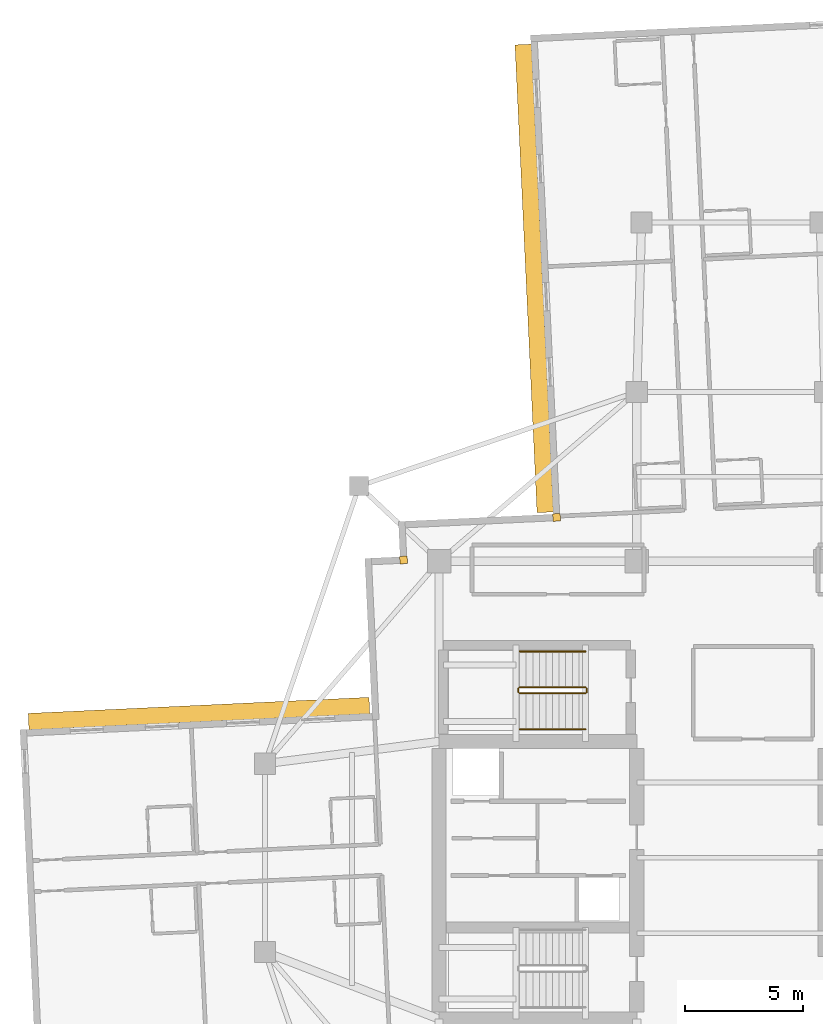
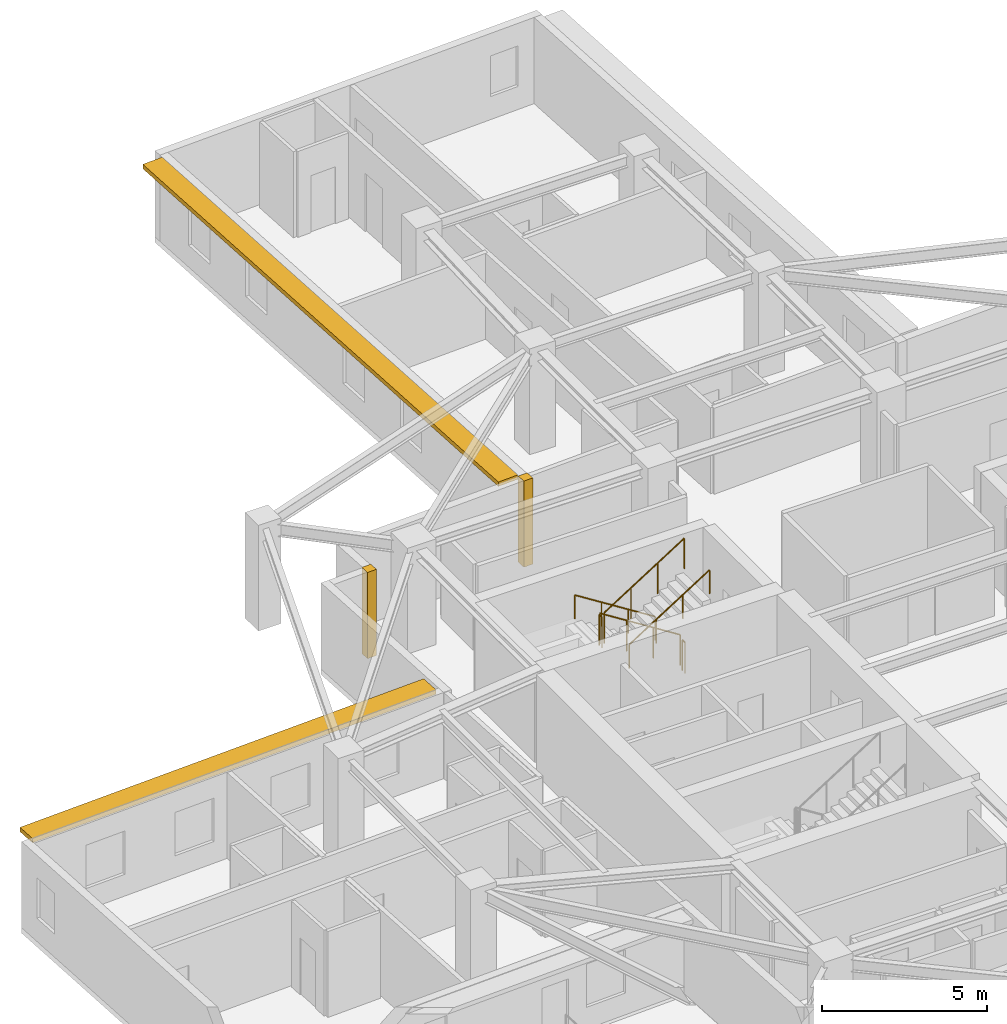
# One storey, part 11 of 12: 6 railings, 2 coverings, 2 shading devices.
"""IFC4 building model written with IfcOpenShell, lengths in metres."""

import ifcopenshell
import ifcopenshell.guid

model = None  # the IFC model being written
_history = None  # IfcOwnerHistory: only IFC2X3 demands one
_inside = {}  # id of a spatial element -> (the spatial element, [elements in it])
_under = {}  # id of a project, library or spatial element -> (it, [spatial elements below it])
_declared = {}  # id of a project -> (the project, [libraries it declares])
_typed = {}  # id of a type object -> (the type object, [elements of that type])
_made_of = {}  # id of a material, layer set ... -> (it, [elements and type objects made of it])


def new_model(schema):
    """Start an empty IFC model of exactly this schema.

    Asked for "IFC4X3", IfcOpenShell would pick the latest addendum, in which some entities
    have other attributes; the version numbers below select the first issue.
    IFC2X3 requires an IfcOwnerHistory on every rooted entity: one is made here for all.
    """
    global model, _history
    if schema == "IFC4X3":
        model = ifcopenshell.file(schema_version=(4, 3, 0, 0))
    else:
        model = ifcopenshell.file(schema=schema)
    _inside.clear()
    _under.clear()
    _declared.clear()
    _typed.clear()
    _made_of.clear()
    _history = None
    if model.schema == "IFC2X3":
        org = make("IfcOrganization", Name="unknown")
        user = make(
            "IfcPersonAndOrganization",
            ThePerson=make("IfcPerson", FamilyName="unknown"),
            TheOrganization=org,
        )
        app = make(
            "IfcApplication",
            ApplicationDeveloper=org,
            Version="unknown",
            ApplicationFullName="unknown",
            ApplicationIdentifier="unknown",
        )
        _history = make(
            "IfcOwnerHistory",
            OwningUser=user,
            OwningApplication=app,
            ChangeAction="ADDED",
            CreationDate=0,
        )
    return model


def make(cls, **values):
    """One entity of the class cls with the attributes given. An attribute that is None is left unset."""
    return model.create_entity(
        cls, **{name: value for name, value in values.items() if value is not None}
    )


def rooted(cls, **values):
    """An entity with a GlobalId (a new one), such as an element, a storey or a relation."""
    return make(cls, GlobalId=ifcopenshell.guid.new(), OwnerHistory=_history, **values)


def si_unit(unit_type, name, prefix=None):
    """IfcSIUnit, for example si_unit("LENGTHUNIT", "METRE", prefix="MILLI")."""
    return make("IfcSIUnit", UnitType=unit_type, Prefix=prefix, Name=name)


def assignment(units):
    """IfcUnitAssignment: the units of a project."""
    return None if units is None else make("IfcUnitAssignment", Units=units)


def point(xyz):
    """IfcCartesianPoint."""
    return None if xyz is None else make("IfcCartesianPoint", Coordinates=xyz)


def direction(xyz):
    """IfcDirection."""
    return None if xyz is None else make("IfcDirection", DirectionRatios=xyz)


def frame(location, z_axis=None, x_axis=None):
    """IfcAxis2Placement3D, a coordinate frame: its origin and axes. An axis left out is left unset."""
    return make(
        "IfcAxis2Placement3D",
        Location=point(location),
        Axis=direction(z_axis),
        RefDirection=direction(x_axis),
    )


def frame_2d(location, x_axis=None):
    """IfcAxis2Placement2D, a coordinate frame in the plane: its origin and x axis."""
    return make(
        "IfcAxis2Placement2D", Location=point(location), RefDirection=direction(x_axis)
    )


def origin():
    """The frame at (0, 0, 0) with its axes left unset."""
    return frame((0.0, 0.0, 0.0))


def origin_2d():
    """The frame at (0, 0) in the plane with its x axis left unset."""
    return frame_2d((0.0, 0.0))


def place(relative_to, where):
    """IfcLocalPlacement: puts the frame where relative to a parent placement (None: the world)."""
    return make(
        "IfcLocalPlacement", PlacementRelTo=relative_to, RelativePlacement=where
    )


def context(
    kind, dimensions, precision=None, world=None, true_north=None, identifier=None
):
    """IfcGeometricRepresentationContext, for example the 3D "Model" context."""
    return make(
        "IfcGeometricRepresentationContext",
        ContextIdentifier=identifier,
        ContextType=kind,
        CoordinateSpaceDimension=dimensions,
        Precision=precision,
        WorldCoordinateSystem=world,
        TrueNorth=true_north,
    )


def subcontext(parent, identifier, kind, view, scale=None):
    """IfcGeometricRepresentationSubContext, for example "Body" below "Model"."""
    return make(
        "IfcGeometricRepresentationSubContext",
        ContextIdentifier=identifier,
        ContextType=kind,
        ParentContext=parent,
        TargetScale=scale,
        TargetView=view,
    )


def project(units=None, contexts=None):
    """IfcProject with its units and contexts."""
    return rooted(
        "IfcProject",
        Name="project",
        RepresentationContexts=contexts,
        UnitsInContext=assignment(units),
    )


def spatial(cls, under=None, at=None, **own):
    """A site, building, storey or space (cls), placed at a placement, below another one or the project."""
    s = rooted(cls, ObjectPlacement=at, **own)
    if under is not None:
        _under.setdefault(under.id(), (under, []))[1].append(s)
    return s


def profile(cls, at=None, kind="AREA", **sizes):
    """A parametric profile (cls). Its sizes go by their IFC names, for example OverallWidth=200.0."""
    return make(cls, ProfileType=kind, Position=at, **sizes)


def rectangle(**sizes):
    """IfcRectangleProfileDef."""
    return profile("IfcRectangleProfileDef", **sizes)


def circle(**sizes):
    """IfcCircleProfileDef."""
    return profile("IfcCircleProfileDef", **sizes)


def extrude(swept, where, along, depth):
    """IfcExtrudedAreaSolid: the profile swept, set in the frame where, extruded along a direction by depth."""
    return make(
        "IfcExtrudedAreaSolid",
        SweptArea=swept,
        Position=where,
        ExtrudedDirection=direction(along),
        Depth=depth,
    )


def shape(context_of_items, identifier, shape_type, items):
    """IfcShapeRepresentation: the items that make up one representation, for example the "Body"."""
    return make(
        "IfcShapeRepresentation",
        ContextOfItems=context_of_items,
        RepresentationIdentifier=identifier,
        RepresentationType=shape_type,
        Items=items,
    )


def material(Name=None, Category=None):
    """IfcMaterial."""
    return make("IfcMaterial", Name=Name, Category=Category)


def layer(
    of_material, thickness, ventilated=None, Name=None, Category=None, Priority=None
):
    """IfcMaterialLayer: one layer of a wall or slab, of a material (None: an air gap)."""
    return make(
        "IfcMaterialLayer",
        Material=of_material,
        LayerThickness=thickness,
        IsVentilated=ventilated,
        Name=Name,
        Category=Category,
        Priority=Priority,
    )


def layer_set(layers, Name=None):
    """IfcMaterialLayerSet."""
    return make("IfcMaterialLayerSet", MaterialLayers=layers, LayerSetName=Name)


def made_of(thing, what):
    """Note that an element or type object is made of a material, layer set ...; save() writes the relation."""
    if what is not None:
        _made_of.setdefault(what.id(), (what, []))[1].append(thing)
    return thing


def type_object(cls, material=None, **own):
    """A type object (cls), such as IfcWallType, which elements share."""
    return made_of(rooted(cls, **own), material)


def element(
    cls,
    number,
    at=None,
    inside=None,
    cuts=None,
    type_object=None,
    material=None,
    context=None,
    identifier="Body",
    shape_type=None,
    held_by="IfcProductDefinitionShape",
    body=None,
    shapes=None,
    **own,
):
    """One element of the class cls, such as IfcWall. Its Tag is "e" and its number.

    at: its placement. inside: the storey or other place that contains it. cuts: it is an
    opening in that element (IfcRelVoidsElement). A single representation is given by context,
    identifier, shape_type and body (its items); several are given by shapes. held_by: the class
    of the entity that holds the representations. save() writes the other relations.
    """
    e = rooted(cls, Tag="e%d" % number, ObjectPlacement=at, **own)
    if body is not None:
        shapes = [shape(context, identifier, shape_type, body)]
    if shapes is not None:
        e.Representation = make(held_by, Representations=shapes)
    if inside is not None:
        _inside.setdefault(inside.id(), (inside, []))[1].append(e)
    if cuts is not None:
        rooted(
            "IfcRelVoidsElement", RelatingBuildingElement=cuts, RelatedOpeningElement=e
        )
    if type_object is not None:
        _typed.setdefault(type_object.id(), (type_object, []))[1].append(e)
    return made_of(e, material)


def aggregate(whole, parts):
    """IfcRelAggregates: a whole, such as a stair, and the parts it consists of."""
    return rooted("IfcRelAggregates", RelatingObject=whole, RelatedObjects=parts)


def save(model, path):
    """Write the relations noted so far, then the file.

    IfcRelAggregates (storeys below a building ...), IfcRelContainedInSpatialStructure (elements
    in a storey), IfcRelDefinesByType, IfcRelAssociatesMaterial and IfcRelDeclares: one each for
    every whole, place, type object, material and project.
    """
    for whole, parts in _under.values():
        aggregate(whole, parts)
    for where, things in _inside.values():
        rooted(
            "IfcRelContainedInSpatialStructure",
            RelatedElements=things,
            RelatingStructure=where,
        )
    for kind, things in _typed.values():
        rooted("IfcRelDefinesByType", RelatedObjects=things, RelatingType=kind)
    for what, things in _made_of.values():
        rooted("IfcRelAssociatesMaterial", RelatedObjects=things, RelatingMaterial=what)
    for by, libraries in _declared.values():
        rooted("IfcRelDeclares", RelatingContext=by, RelatedDefinitions=libraries)
    model.write(path)


model = new_model("IFC4")

# Units and contexts
model_context = context("Model", 3, precision=1e-05, world=origin(), true_north=direction((0.0, 1.0)))
body_context = subcontext(model_context, "Body", "Model", "MODEL_VIEW")
ifc_project = project(units=[si_unit("LENGTHUNIT", "METRE"), si_unit("AREAUNIT", "SQUARE_METRE"), si_unit("VOLUMEUNIT", "CUBIC_METRE"), si_unit("PLANEANGLEUNIT", "RADIAN"), si_unit("MASSUNIT", "GRAM", prefix="KILO")], contexts=[model_context])

# Site, building, storey
site_placement = place(None, origin())
site = spatial("IfcSite", under=ifc_project, at=site_placement, CompositionType="ELEMENT")
building_placement = place(site_placement, origin())
building = spatial("IfcBuilding", under=site, at=building_placement, Name="Qingluan Cross Belvedere", CompositionType="ELEMENT")
storey_placement = place(building_placement, frame((0.0, 0.0, 213.0)))
storey = spatial("IfcBuildingStorey", under=building, at=storey_placement, Name="L53", CompositionType="ELEMENT", Elevation=213.0)

# Coverings
ifc_material_1 = material(Name="Precast concrete C45", Category="concrete")
ifc_layer_1 = layer(ifc_material_1, 0.1201171875, Name="ConcreteSpandrelCladding_120")
ifc_layer_set_1 = layer_set([ifc_layer_1], Name="Precast concrete C45")
covering_type = type_object("IfcCoveringType", Name="ConcreteSpandrelCladding_120", PredefinedType="CLADDING", material=ifc_layer_set_1)
for number, where, z_axis, x_axis, name in (
    (1, (-13.911865234375, 12.65869140625, 0.0), (0.0, 0.0, 1.0), (0.998889874962, 0.04710645071, 0.0), "Corner closure L53-NW1"),
    (2, (-7.40966796875, 14.467041015625, 0.0), (0.0, 0.0, 1.0), (0.998889874962, 0.04710645071, 0.0), "Corner closure L53-NW2"),
):
    element("IfcCovering", number, at=place(storey_placement, frame(where, z_axis=z_axis, x_axis=x_axis)), inside=storey, type_object=covering_type, Name=name, PredefinedType="CLADDING", context=body_context, shape_type="SweptSolid", body=[
        extrude(rectangle(XDim=0.320068359375, YDim=0.320068359375, at=origin_2d()), origin(), (0.0, 0.0, 1.0), 3.179931640625),
    ])

# Shading devices
ifc_material_2 = material(Name="Precast concrete C45", Category="concrete")
ifc_layer_2 = layer(ifc_material_2, 0.139892578125, Name="ConcreteSunshadeBand_700")
ifc_layer_set_2 = layer_set([ifc_layer_2], Name="Precast concrete C45")
shading_device_type = type_object("IfcShadingDeviceType", Name="ConcreteSunshadeBand_700", PredefinedType="USERDEFINED", material=ifc_layer_set_2)
shading_device_1_placement = place(storey_placement, frame((-8.359130859375, 24.62353515625, 3.0), z_axis=(0.0, 0.0, 1.0), x_axis=(0.047104684445, -0.998889958255, 0.0)))
element("IfcShadingDevice", 3, at=shading_device_1_placement, inside=storey, type_object=shading_device_type, Name="Concrete SUNSHADE L53-NB", ObjectType="SUNSHADE", PredefinedType="USERDEFINED", context=body_context, shape_type="SweptSolid", body=[
    extrude(rectangle(XDim=19.89990234375, YDim=0.699951171875, at=origin_2d()), origin(), (0.0, 0.0, 1.0), 0.159912109375),
])
shading_device_2_placement = place(storey_placement, frame((-22.60400390625, 6.132080078125, 3.0), z_axis=(0.0, 0.0, 1.0), x_axis=(-0.99888976521, -0.047108777928, 0.0)))
element("IfcShadingDevice", 4, at=shading_device_2_placement, inside=storey, type_object=shading_device_type, Name="Concrete SUNSHADE L53-WA", ObjectType="SUNSHADE", PredefinedType="USERDEFINED", context=body_context, shape_type="SweptSolid", body=[
    extrude(rectangle(XDim=14.5, YDim=0.699951171875, at=origin_2d()), origin(), (0.0, 0.0, 1.0), 0.159912109375),
])

# Railings
ifc_material_3 = material(Name="Brushed stainless steel tubular handrail", Category="steel")
railing_type_1 = type_object("IfcRailingType", Name="StairPitchHandrail_900", PredefinedType="HANDRAIL", material=ifc_material_3)
railing_1_placement = place(storey_placement, frame((-6.179931640625, 8.77001953125, 0.17724609375)))
element("IfcRailing", 5, at=railing_1_placement, inside=storey, type_object=railing_type_1, Name="L53 ST3 stair handrail 1", PredefinedType="HANDRAIL", context=body_context, shape_type="SweptSolid", body=[
    extrude(circle(Radius=0.02392578125, at=origin_2d()), frame((0.0, 0.0, 0.8759765625), z_axis=(-0.844908973607, 0.0, 0.534910110503), x_axis=(0.0, -1.0, 0.0)), (0.0, 0.0, 1.0), 3.31396484375),
    extrude(circle(Radius=0.02099609375, at=origin_2d()), origin(), (0.0, 0.0, 1.0), 0.851806640625),
    extrude(circle(Radius=0.02099609375, at=origin_2d()), frame((-0.933349609375, 0.0, 0.5908203125)), (0.0, 0.0, 1.0), 0.851806640625),
    extrude(circle(Radius=0.02099609375, at=origin_2d()), frame((-1.86669921875, 0.0, 1.181884765625)), (0.0, 0.0, 1.0), 0.851806640625),
    extrude(circle(Radius=0.02099609375, at=origin_2d()), frame((-2.800048828125, 0.0, 1.772705078125)), (0.0, 0.0, 1.0), 0.851806640625),
])
railing_2_placement = place(storey_placement, frame((-8.97998046875, 5.469970703125, 2.127197265625)))
element("IfcRailing", 6, at=railing_2_placement, inside=storey, type_object=railing_type_1, Name="L53 ST3 stair handrail 2", PredefinedType="HANDRAIL", context=body_context, shape_type="SweptSolid", body=[
    extrude(circle(Radius=0.02392578125, at=origin_2d()), frame((0.0, 0.0, 0.8759765625), z_axis=(0.844908973607, 0.0, 0.534910110503), x_axis=(0.0, 1.0, 0.0)), (0.0, 0.0, 1.0), 3.31396484375),
    extrude(circle(Radius=0.02099609375, at=origin_2d()), origin(), (0.0, 0.0, 1.0), 0.851806640625),
    extrude(circle(Radius=0.02099609375, at=origin_2d()), frame((0.933349609375, 0.0, 0.5908203125)), (0.0, 0.0, 1.0), 0.851806640625),
    extrude(circle(Radius=0.02099609375, at=origin_2d()), frame((1.86669921875, 0.0, 1.181884765625)), (0.0, 0.0, 1.0), 0.851806640625),
    extrude(circle(Radius=0.02099609375, at=origin_2d()), frame((2.800048828125, 0.0, 1.772705078125)), (0.0, 0.0, 1.0), 0.851806640625),
])
ifc_material_4 = material(Name="Painted steel stair well guard", Category="steel")
railing_type_2 = type_object("IfcRailingType", Name="StairWellGuard_1150", PredefinedType="BALUSTRADE", material=ifc_material_4)
railing_3_placement = place(storey_placement, frame((-6.179931640625, 7.25, 0.17724609375)))
element("IfcRailing", 7, at=railing_3_placement, inside=storey, type_object=railing_type_2, Name="L53 ST3 stair guard 1", PredefinedType="BALUSTRADE", context=body_context, shape_type="SweptSolid", body=[
    extrude(circle(Radius=0.02392578125, at=origin_2d()), frame((0.0, 0.0, 1.1259765625), z_axis=(-0.844908973607, 0.0, 0.534910110503), x_axis=(0.0, -1.0, 0.0)), (0.0, 0.0, 1.0), 3.31396484375),
    extrude(circle(Radius=0.02099609375, at=origin_2d()), origin(), (0.0, 0.0, 1.0), 1.101806640625),
    extrude(circle(Radius=0.02099609375, at=origin_2d()), frame((-0.933349609375, 0.0, 0.5908203125)), (0.0, 0.0, 1.0), 1.101806640625),
    extrude(circle(Radius=0.02099609375, at=origin_2d()), frame((-1.86669921875, 0.0, 1.181884765625)), (0.0, 0.0, 1.0), 1.101806640625),
    extrude(circle(Radius=0.02099609375, at=origin_2d()), frame((-2.800048828125, 0.0, 1.772705078125)), (0.0, 0.0, 1.0), 1.101806640625),
])
railing_4_placement = place(storey_placement, frame((-9.030029296875, 7.199951171875, 1.949951171875)))
element("IfcRailing", 8, at=railing_4_placement, inside=storey, type_object=railing_type_2, Name="L53 ST3 stair guard 2", PredefinedType="BALUSTRADE", context=body_context, shape_type="SweptSolid", body=[
    extrude(circle(Radius=0.02392578125, at=origin_2d()), frame((0.0, 0.0, 1.1259765625), z_axis=(0.0, -1.0, 0.0), x_axis=(1.0, 0.0, 0.0)), (0.0, 0.0, 1.0), 0.159912109375),
    extrude(circle(Radius=0.02099609375, at=origin_2d()), origin(), (0.0, 0.0, 1.0), 1.101806640625),
    extrude(circle(Radius=0.02099609375, at=origin_2d()), frame((0.0, -0.159912109375, 0.0)), (0.0, 0.0, 1.0), 1.101806640625),
])
railing_5_placement = place(storey_placement, frame((-8.97998046875, 6.989990234375, 2.127197265625)))
element("IfcRailing", 9, at=railing_5_placement, inside=storey, type_object=railing_type_2, Name="L53 ST3 stair guard 3", PredefinedType="BALUSTRADE", context=body_context, shape_type="SweptSolid", body=[
    extrude(circle(Radius=0.02392578125, at=origin_2d()), frame((0.0, 0.0, 1.1259765625), z_axis=(0.844908973607, 0.0, 0.534910110503), x_axis=(0.0, 1.0, 0.0)), (0.0, 0.0, 1.0), 3.31396484375),
    extrude(circle(Radius=0.02099609375, at=origin_2d()), origin(), (0.0, 0.0, 1.0), 1.101806640625),
    extrude(circle(Radius=0.02099609375, at=origin_2d()), frame((0.933349609375, 0.0, 0.5908203125)), (0.0, 0.0, 1.0), 1.101806640625),
    extrude(circle(Radius=0.02099609375, at=origin_2d()), frame((1.86669921875, 0.0, 1.181884765625)), (0.0, 0.0, 1.0), 1.101806640625),
    extrude(circle(Radius=0.02099609375, at=origin_2d()), frame((2.800048828125, 0.0, 1.772705078125)), (0.0, 0.0, 1.0), 1.101806640625),
])
railing_6_placement = place(storey_placement, frame((-6.1298828125, 7.199951171875, 0.0)))
element("IfcRailing", 10, at=railing_6_placement, inside=storey, type_object=railing_type_2, Name="L53 ST3 stair guard 4", PredefinedType="BALUSTRADE", context=body_context, shape_type="SweptSolid", body=[
    extrude(circle(Radius=0.02392578125, at=origin_2d()), frame((0.0, 0.0, 1.1259765625), z_axis=(0.0, -1.0, 0.0), x_axis=(1.0, 0.0, 0.0)), (0.0, 0.0, 1.0), 0.159912109375),
    extrude(circle(Radius=0.02099609375, at=origin_2d()), origin(), (0.0, 0.0, 1.0), 1.101806640625),
    extrude(circle(Radius=0.02099609375, at=origin_2d()), frame((0.0, -0.159912109375, 0.0)), (0.0, 0.0, 1.0), 1.101806640625),
])

save(model, "model.ifc")
